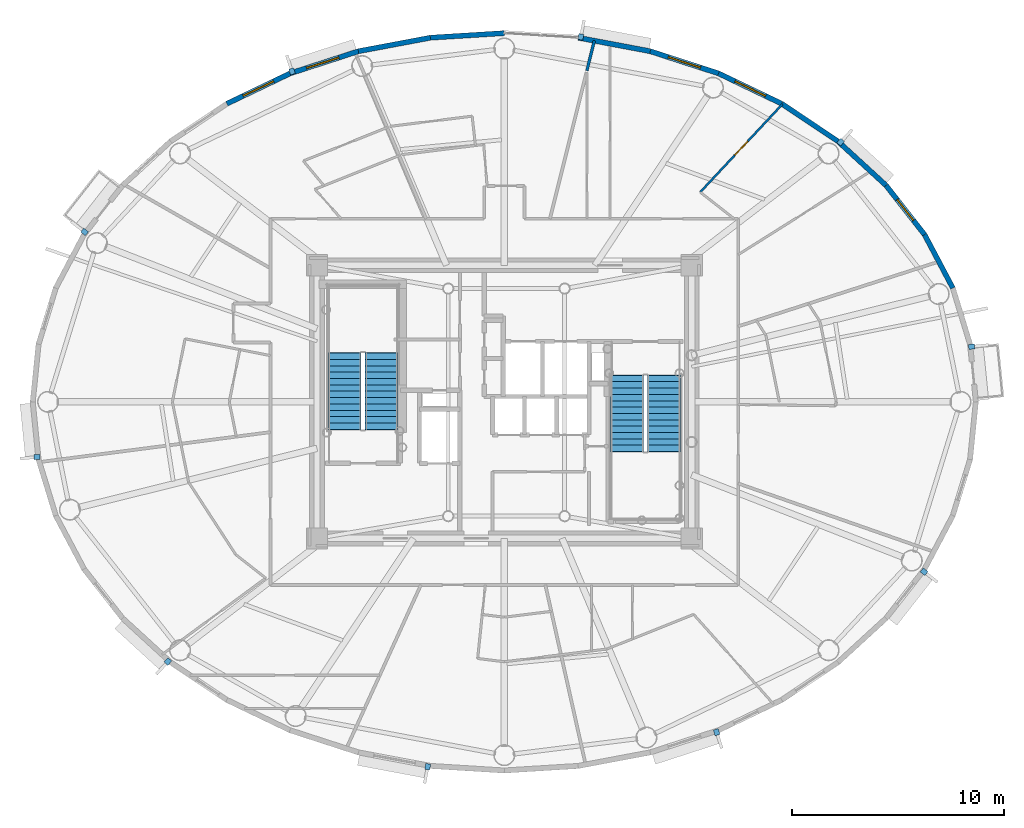
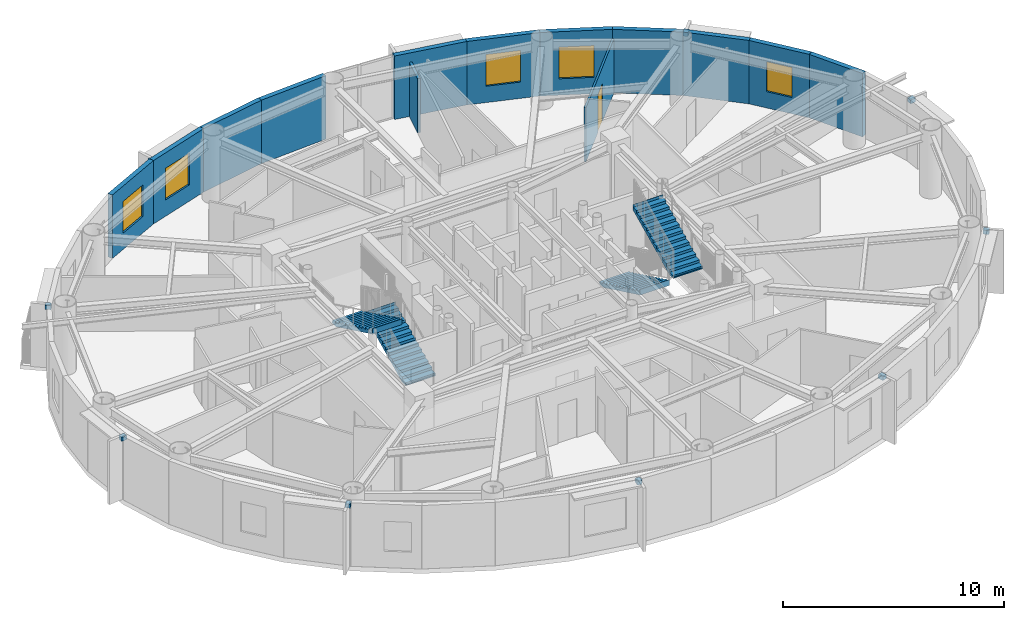
# One storey, part 10 of 17: 13 walls, 10 discrete accessories, 5 windows, 4 stair flights, 1 door, 6 openings, 2 elements without a shape of their own.
"""IFC4 building model written with IfcOpenShell, lengths in metres."""

from ifc_helpers import new_model, si_unit, direction, frame, frame_2d, origin, origin_2d, place, context, subcontext, project, spatial, polyline, rectangle, outline, extrude, source, transform, mapped, material, layer, layer_set, type_object, element, fill, aggregate, save


model = new_model("IFC4")

# Units and contexts
model_context = context("Model", 3, precision=1e-05, world=origin(), true_north=direction((0.0, 1.0)))
body_context = subcontext(model_context, "Body", "Model", "MODEL_VIEW")
ifc_project = project(units=[si_unit("LENGTHUNIT", "METRE"), si_unit("AREAUNIT", "SQUARE_METRE"), si_unit("VOLUMEUNIT", "CUBIC_METRE"), si_unit("PLANEANGLEUNIT", "RADIAN"), si_unit("MASSUNIT", "GRAM", prefix="KILO")], contexts=[model_context])

# Site, building, storey
site_placement = place(None, origin())
site = spatial("IfcSite", under=ifc_project, at=site_placement, CompositionType="ELEMENT")
building_placement = place(site_placement, origin())
building = spatial("IfcBuilding", under=site, at=building_placement, Name="Linh Dai School and Residence Tower", CompositionType="ELEMENT")
storey_placement = place(building_placement, frame((0.0, 0.0, 299.25)))
storey = spatial("IfcBuildingStorey", under=building, at=storey_placement, Name="L74", CompositionType="ELEMENT", Elevation=299.25)

# Wall
ifc_material_1 = material(Name="Precast Concrete B45 (C35/45)", Category="concrete")
ifc_layer_1 = layer(ifc_material_1, 0.239990234375)
ifc_layer_set_1 = layer_set([ifc_layer_1], Name="Precast Concrete B45 (C35/45)")
wall_type_1 = type_object("IfcWallType", Name="EW-TC-240", PredefinedType="SOLIDWALL", material=ifc_layer_set_1)
wall_1_placement = place(storey_placement, frame((55.853759765625, 34.894775390625, 0.0), z_axis=(0.0, 0.0, 1.0), x_axis=(0.467628269026, -0.883925224218, 0.0)))
element("IfcWall", 1, at=wall_1_placement, inside=storey, type_object=wall_type_1, Name="L74 Terracotta Exterior Wall 03", PredefinedType="SOLIDWALL", context=body_context, shape_type="SweptSolid", body=[
    extrude(rectangle(XDim=2.853759765625, YDim=0.239990234375, at=frame_2d((1.4267578125, 0.0))), origin(), (0.0, 0.0, 1.0), 3.5),
])

# Wall, opening, window
wall_2_placement = place(storey_placement, frame((54.0302734375, 37.224609375, 0.0), z_axis=(0.0, 0.0, 1.0), x_axis=(0.616337186556, -0.787482363275, 0.0)))
wall_2 = element("IfcWall", 2, at=wall_2_placement, inside=storey, type_object=wall_type_1, Name="L74 Terracotta Exterior Wall 04", PredefinedType="SOLIDWALL", context=body_context, shape_type="SweptSolid", body=[
    extrude(rectangle(XDim=2.95849609375, YDim=0.239990234375, at=frame_2d((1.479248046875, 0.0))), origin(), (0.0, 0.0, 1.0), 3.5),
])
opening_1_placement = place(wall_2_placement, frame((0.85400390625, 0.0, 0.89990234375)))
opening_1 = element("IfcOpeningElement", 3, at=opening_1_placement, cuts=wall_2, Name="Opening W3", PredefinedType="OPENING", context=body_context, shape_type="SweptSolid", body=[
    extrude(rectangle(XDim=1.25, YDim=1.64990234375, at=origin_2d()), frame((0.625, 0.1298828125, 0.824951171875), z_axis=(0.0, -1.0, 0.0), x_axis=(1.0, 0.0, 0.0)), (0.0, 0.0, 1.0), 0.260009765625),
])
ifc_material_2 = material(Name="Double Low-E Insulated Glazing", Category="glass")
window_type_1 = type_object("IfcWindowType", Name="WN-RES-1250x1650", PartitioningType="SINGLE_PANEL", PredefinedType="WINDOW", material=ifc_material_2)
shared_shape_1 = source(origin(), body_context, "Body", "SweptSolid", [
    extrude(rectangle(XDim=1.25, YDim=1.64990234375, at=origin_2d()), frame((0.625, 0.030029296875, 0.824951171875), z_axis=(0.0, -1.0, 0.0), x_axis=(1.0, 0.0, 0.0)), (0.0, 0.0, 1.0), 0.06005859375),
])
window_1_placement = place(opening_1_placement, origin())
window_1 = element("IfcWindow", 4, at=window_1_placement, inside=storey, type_object=window_type_1, Name="L74 Exterior Window 04.1", OverallHeight=1.64990234375, OverallWidth=1.25, PartitioningType="SINGLE_PANEL", PredefinedType="WINDOW", context=body_context, shape_type="MappedRepresentation", body=[
    mapped(shared_shape_1, transform((0.0, 0.0, 0.0), x_axis=(1.0, 0.0, 0.0), y_axis=(0.0, 1.0, 0.0), z_axis=(0.0, 0.0, 1.0), scale=1.0)),
])
fill(opening_1, window_1)

# Walls
wall_3_placement = place(storey_placement, frame((51.76220703125, 39.30419921875, 0.0), z_axis=(0.0, 0.0, 1.0), x_axis=(0.737068506972, -0.675818034703, 0.0)))
element("IfcWall", 5, at=wall_3_placement, inside=storey, type_object=wall_type_1, Name="L74 Terracotta Exterior Wall 05", PredefinedType="SOLIDWALL", context=body_context, shape_type="SweptSolid", body=[
    extrude(rectangle(XDim=3.0771484375, YDim=0.239990234375, at=frame_2d((1.53857421875, 0.0))), origin(), (0.0, 0.0, 1.0), 3.5),
])
wall_4_placement = place(storey_placement, frame((49.1044921875, 41.08154296875, 0.0), z_axis=(0.0, 0.0, 1.0), x_axis=(0.831250592635, -0.55589787933, 0.0)))
element("IfcWall", 6, at=wall_4_placement, inside=storey, type_object=wall_type_1, Name="L74 Terracotta Exterior Wall 06", PredefinedType="SOLIDWALL", context=body_context, shape_type="SweptSolid", body=[
    extrude(rectangle(XDim=3.197265625, YDim=0.239990234375, at=frame_2d((1.5986328125, 0.0))), origin(), (0.0, 0.0, 1.0), 3.5),
])

# Wall, opening, window
wall_5_placement = place(storey_placement, frame((46.123046875, 42.51220703125, 0.0), z_axis=(0.0, 0.0, 1.0), x_axis=(0.901573741254, -0.43262546051, 0.0)))
wall_5 = element("IfcWall", 7, at=wall_5_placement, inside=storey, type_object=wall_type_1, Name="L74 Terracotta Exterior Wall 07", PredefinedType="SOLIDWALL", context=body_context, shape_type="SweptSolid", body=[
    extrude(rectangle(XDim=3.306884765625, YDim=0.239990234375, at=frame_2d((1.6533203125, 0.0))), origin(), (0.0, 0.0, 1.0), 3.5),
])
opening_2_placement = place(wall_5_placement, frame((0.8583984375, 0.0, 0.89990234375)))
opening_2 = element("IfcOpeningElement", 8, at=opening_2_placement, cuts=wall_5, Name="Opening W2", PredefinedType="OPENING", context=body_context, shape_type="SweptSolid", body=[
    extrude(rectangle(XDim=1.60009765625, YDim=1.75, at=origin_2d()), frame((0.800048828125, 0.1298828125, 0.875), z_axis=(0.0, -1.0, 0.0), x_axis=(1.0, 0.0, 0.0)), (0.0, 0.0, 1.0), 0.260009765625),
])
window_type_2 = type_object("IfcWindowType", Name="WN-RES-1600x1750", PartitioningType="DOUBLE_PANEL_VERTICAL", PredefinedType="WINDOW", material=ifc_material_2)
shared_shape_2 = source(origin(), body_context, "Body", "SweptSolid", [
    extrude(rectangle(XDim=1.60009765625, YDim=1.75, at=origin_2d()), frame((0.800048828125, 0.030029296875, 0.875), z_axis=(0.0, -1.0, 0.0), x_axis=(1.0, 0.0, 0.0)), (0.0, 0.0, 1.0), 0.06005859375),
])
window_2_placement = place(opening_2_placement, origin())
window_2 = element("IfcWindow", 9, at=window_2_placement, inside=storey, type_object=window_type_2, Name="L74 Exterior Window 07.1", OverallHeight=1.75, OverallWidth=1.60009765625, PartitioningType="DOUBLE_PANEL_VERTICAL", PredefinedType="WINDOW", context=body_context, shape_type="MappedRepresentation", body=[
    mapped(shared_shape_2, transform((0.0, 0.0, 0.0), x_axis=(1.0, 0.0, 0.0), y_axis=(0.0, 1.0, 0.0), z_axis=(0.0, 0.0, 1.0), scale=1.0)),
])
fill(opening_2, window_2)

wall_6_placement = place(storey_placement, frame((42.89111328125, 43.560302734375, 0.0), z_axis=(0.0, 0.0, 1.0), x_axis=(0.95123136723, -0.308478339592, 0.0)))
wall_6 = element("IfcWall", 10, at=wall_6_placement, inside=storey, type_object=wall_type_1, Name="L74 Terracotta Exterior Wall 08", PredefinedType="SOLIDWALL", context=body_context, shape_type="SweptSolid", body=[
    extrude(rectangle(XDim=3.397705078125, YDim=0.239990234375, at=frame_2d((1.69873046875, 0.0))), origin(), (0.0, 0.0, 1.0), 3.5),
])
opening_3_placement = place(wall_6_placement, frame((0.898681640625, 0.0, 0.89990234375)))
opening_3 = element("IfcOpeningElement", 11, at=opening_3_placement, cuts=wall_6, Name="Opening W2", PredefinedType="OPENING", context=body_context, shape_type="SweptSolid", body=[
    extrude(rectangle(XDim=1.60009765625, YDim=1.75, at=origin_2d()), frame((0.800048828125, 0.1298828125, 0.875), z_axis=(0.0, -1.0, 0.0), x_axis=(1.0, 0.0, 0.0)), (0.0, 0.0, 1.0), 0.260009765625),
])
window_3_placement = place(opening_3_placement, origin())
window_3 = element("IfcWindow", 12, at=window_3_placement, inside=storey, type_object=window_type_2, Name="L74 Exterior Window 08.1", OverallHeight=1.75, OverallWidth=1.60009765625, PartitioningType="DOUBLE_PANEL_VERTICAL", PredefinedType="WINDOW", context=body_context, shape_type="MappedRepresentation", body=[
    mapped(shared_shape_2, transform((0.0, 0.0, 0.0), x_axis=(1.0, 0.0, 0.0), y_axis=(0.0, 1.0, 0.0), z_axis=(0.0, 0.0, 1.0), scale=1.0)),
])
fill(opening_3, window_3)

# Walls
wall_7_placement = place(storey_placement, frame((39.48876953125, 44.199951171875, 0.0), z_axis=(0.0, 0.0, 1.0), x_axis=(0.982782655757, -0.184765395959, 0.0)))
element("IfcWall", 13, at=wall_7_placement, inside=storey, type_object=wall_type_1, Name="L74 Terracotta Exterior Wall 09", PredefinedType="SOLIDWALL", context=body_context, shape_type="SweptSolid", body=[
    extrude(rectangle(XDim=3.4619140625, YDim=0.239990234375, at=frame_2d((1.73095703125, 0.0))), origin(), (0.0, 0.0, 1.0), 3.5),
])
wall_8_placement = place(storey_placement, frame((32.51123046875, 44.199951171875, 0.0), z_axis=(0.0, 0.0, 1.0), x_axis=(0.998104946479, 0.061534671648, 0.0)))
element("IfcWall", 14, at=wall_8_placement, inside=storey, type_object=wall_type_1, Name="L74 Terracotta Exterior Wall 11", PredefinedType="SOLIDWALL", context=body_context, shape_type="SweptSolid", body=[
    extrude(rectangle(XDim=3.495361328125, YDim=0.239990234375, at=frame_2d((1.74755859375, 0.0))), origin(), (0.0, 0.0, 1.0), 3.5),
])
wall_9_placement = place(storey_placement, frame((29.10888671875, 43.560302734375, 0.0), z_axis=(0.0, 0.0, 1.0), x_axis=(0.982782655757, 0.184765395959, 0.0)))
element("IfcWall", 15, at=wall_9_placement, inside=storey, type_object=wall_type_1, Name="L74 Terracotta Exterior Wall 12", PredefinedType="SOLIDWALL", context=body_context, shape_type="SweptSolid", body=[
    extrude(rectangle(XDim=3.4619140625, YDim=0.239990234375, at=frame_2d((1.73095703125, 0.0))), origin(), (0.0, 0.0, 1.0), 3.5),
])

# Wall, opening, window
wall_10_placement = place(storey_placement, frame((25.876953125, 42.51220703125, 0.0), z_axis=(0.0, 0.0, 1.0), x_axis=(0.95123136723, 0.308478339592, 0.0)))
wall_10 = element("IfcWall", 16, at=wall_10_placement, inside=storey, type_object=wall_type_1, Name="L74 Terracotta Exterior Wall 13", PredefinedType="SOLIDWALL", context=body_context, shape_type="SweptSolid", body=[
    extrude(rectangle(XDim=3.397705078125, YDim=0.239990234375, at=frame_2d((1.69873046875, 0.0))), origin(), (0.0, 0.0, 1.0), 3.5),
])
opening_4_placement = place(wall_10_placement, frame((0.82421875, 0.0, 0.89990234375)))
opening_4 = element("IfcOpeningElement", 17, at=opening_4_placement, cuts=wall_10, Name="Opening W2", PredefinedType="OPENING", context=body_context, shape_type="SweptSolid", body=[
    extrude(rectangle(XDim=1.60009765625, YDim=1.75, at=origin_2d()), frame((0.800048828125, 0.1298828125, 0.875), z_axis=(0.0, -1.0, 0.0), x_axis=(1.0, 0.0, 0.0)), (0.0, 0.0, 1.0), 0.260009765625),
])
window_4_placement = place(opening_4_placement, origin())
window_4 = element("IfcWindow", 18, at=window_4_placement, inside=storey, type_object=window_type_2, Name="L74 Exterior Window 13.1", OverallHeight=1.75, OverallWidth=1.60009765625, PartitioningType="DOUBLE_PANEL_VERTICAL", PredefinedType="WINDOW", context=body_context, shape_type="MappedRepresentation", body=[
    mapped(shared_shape_2, transform((0.0, 0.0, 0.0), x_axis=(1.0, 0.0, 0.0), y_axis=(0.0, 1.0, 0.0), z_axis=(0.0, 0.0, 1.0), scale=1.0)),
])
fill(opening_4, window_4)

wall_11_placement = place(storey_placement, frame((22.8955078125, 41.08154296875, 0.0), z_axis=(0.0, 0.0, 1.0), x_axis=(0.901573741254, 0.43262546051, 0.0)))
wall_11 = element("IfcWall", 19, at=wall_11_placement, inside=storey, type_object=wall_type_1, Name="L74 Terracotta Exterior Wall 14", PredefinedType="SOLIDWALL", context=body_context, shape_type="SweptSolid", body=[
    extrude(rectangle(XDim=3.306884765625, YDim=0.239990234375, at=frame_2d((1.6533203125, 0.0))), origin(), (0.0, 0.0, 1.0), 3.5),
])
opening_5_placement = place(wall_11_placement, frame((0.853515625, 0.0, 0.89990234375)))
opening_5 = element("IfcOpeningElement", 20, at=opening_5_placement, cuts=wall_11, Name="Opening W2", PredefinedType="OPENING", context=body_context, shape_type="SweptSolid", body=[
    extrude(rectangle(XDim=1.60009765625, YDim=1.75, at=origin_2d()), frame((0.800048828125, 0.1298828125, 0.875), z_axis=(0.0, -1.0, 0.0), x_axis=(1.0, 0.0, 0.0)), (0.0, 0.0, 1.0), 0.260009765625),
])
window_5_placement = place(opening_5_placement, origin())
window_5 = element("IfcWindow", 21, at=window_5_placement, inside=storey, type_object=window_type_2, Name="L74 Exterior Window 14.1", OverallHeight=1.75, OverallWidth=1.60009765625, PartitioningType="DOUBLE_PANEL_VERTICAL", PredefinedType="WINDOW", context=body_context, shape_type="MappedRepresentation", body=[
    mapped(shared_shape_2, transform((0.0, 0.0, 0.0), x_axis=(1.0, 0.0, 0.0), y_axis=(0.0, 1.0, 0.0), z_axis=(0.0, 0.0, 1.0), scale=1.0)),
])
fill(opening_5, window_5)

# Wall
ifc_material_3 = material(Name="Autoclaved Aerated Concrete Blockwork", Category="masonry")
ifc_layer_2 = layer(ifc_material_3, 0.135009765625)
ifc_layer_set_2 = layer_set([ifc_layer_2], Name="Autoclaved Aerated Concrete Blockwork")
wall_type_2 = type_object("IfcWallType", Name="IW-CORR-135-EI90", PredefinedType="PARTITIONING", material=ifc_layer_set_2)
wall_12_placement = place(storey_placement, frame((39.89990234375, 42.641845703125, 0.0), z_axis=(0.0, 0.0, 1.0), x_axis=(0.241985841386, 0.970279780563, 0.0)))
element("IfcWall", 22, at=wall_12_placement, inside=storey, type_object=wall_type_2, Name="L74 Interior Partition Wall 068", PredefinedType="PARTITIONING", context=body_context, shape_type="SweptSolid", body=[
    extrude(rectangle(XDim=1.462890625, YDim=0.135009765625, at=frame_2d((0.7314453125, 0.0))), origin(), (0.0, 0.0, 1.0), 2.985107421875),
])

# Wall, opening, door
ifc_material_4 = material(Name="Gypsum Plasterboard Acoustic Stud Partition", Category="masonry")
ifc_layer_3 = layer(ifc_material_4, 0.10009765625)
ifc_layer_set_3 = layer_set([ifc_layer_3], Name="Gypsum Plasterboard Acoustic Stud Partition")
wall_type_3 = type_object("IfcWallType", Name="IW-UNIT-100", PredefinedType="PARTITIONING", material=ifc_layer_set_3)
wall_13_placement = place(storey_placement, frame((45.254150390625, 36.903564453125, 0.0), z_axis=(0.0, 0.0, 1.0), x_axis=(0.682727638106, 0.73067295842, 0.0)))
wall_13 = element("IfcWall", 23, at=wall_13_placement, inside=storey, type_object=wall_type_3, Name="L74 Interior Partition Wall 079", PredefinedType="PARTITIONING", context=body_context, shape_type="SweptSolid", body=[
    extrude(rectangle(XDim=5.69287109375, YDim=0.10009765625, at=frame_2d((2.846435546875, 0.0))), origin(), (0.0, 0.0, 1.0), 2.985107421875),
])
opening_6_placement = place(wall_13_placement, frame((2.396484375, 0.0, 0.0)))
opening_6 = element("IfcOpeningElement", 24, at=opening_6_placement, cuts=wall_13, Name="Opening D05", PredefinedType="OPENING", context=body_context, shape_type="SweptSolid", body=[
    extrude(rectangle(XDim=0.89990234375, YDim=2.10009765625, at=origin_2d()), frame((0.449951171875, 0.06005859375, 1.050048828125), z_axis=(0.0, -1.0, 0.0), x_axis=(1.0, 0.0, 0.0)), (0.0, 0.0, 1.0), 0.1201171875),
])
ifc_material_5 = material(Name="Engineered Timber Internal Door", Category="wood")
door_type = type_object("IfcDoorType", Name="DR-INT-900x2100", OperationType="NOTDEFINED", PredefinedType="DOOR", material=ifc_material_5)
shared_shape_3 = source(origin(), body_context, "Body", "SweptSolid", [
    extrude(rectangle(XDim=0.89990234375, YDim=2.10009765625, at=origin_2d()), frame((0.449951171875, 0.02490234375, 1.050048828125), z_axis=(0.0, -1.0, 0.0), x_axis=(1.0, 0.0, 0.0)), (0.0, 0.0, 1.0), 0.050048828125),
])
door_placement = place(opening_6_placement, origin())
door = element("IfcDoor", 25, at=door_placement, inside=storey, type_object=door_type, Name="L74 Apartment U7408 Study Door", OperationType="SINGLE_SWING_RIGHT", OverallHeight=2.10009765625, OverallWidth=0.89990234375, PredefinedType="DOOR", context=body_context, shape_type="MappedRepresentation", body=[
    mapped(shared_shape_3, transform((0.0, 0.0, 0.0), x_axis=(1.0, 0.0, 0.0), y_axis=(0.0, 1.0, 0.0), z_axis=(0.0, 0.0, 1.0), scale=1.0)),
])
fill(opening_6, door)

# Stair, stair flights
ifc_material_6 = material(Name="Concrete B45 (C35/45)", Category="concrete")
stair_type = type_object("IfcStairType", Name="ST-DOG-1550-R1442", PredefinedType="HALF_TURN_STAIR", material=ifc_material_6)
stair_1_placement = place(storey_placement, origin())
stair_1 = element("IfcStair", 26, at=stair_1_placement, inside=storey, type_object=stair_type, Name="L74 Core Smokeproof Exit Stair ST1", PredefinedType="HALF_TURN_STAIR")
stair_flight_type = type_object("IfcStairFlightType", Name="STF-STR-1550-R1442", PredefinedType="STRAIGHT", material=ifc_material_6)
shared_shape_4 = source(origin(), body_context, "Body", "SweptSolid", [
    extrude(outline(polyline([(-0.02490234375, 0.0), (-0.02490234375, 0.06005859375), (0.0, 0.06005859375), (0.0, 0.144287109375), (0.300048828125, 0.144287109375), (0.300048828125, 0.28857421875), (0.60009765625, 0.28857421875), (0.60009765625, 0.4326171875), (0.89990234375, 0.4326171875), (0.89990234375, 0.576904296875), (1.199951171875, 0.576904296875), (1.199951171875, 0.72119140625), (1.5, 0.72119140625), (1.5, 0.865478515625), (1.800048828125, 0.865478515625), (1.800048828125, 1.009521484375), (2.10009765625, 1.009521484375), (2.10009765625, 1.15380859375), (2.39990234375, 1.15380859375), (2.39990234375, 1.298095703125), (2.699951171875, 1.298095703125), (2.699951171875, 1.4423828125), (3.0, 1.4423828125), (3.0, 1.58642578125), (3.300048828125, 1.58642578125), (3.300048828125, 1.730712890625), (3.60009765625, 1.730712890625), (3.60009765625, 1.875), (3.625, 1.875), (3.625, 1.564453125), (3.60009765625, 1.564453125), (0.345947265625, 0.0), (-0.02490234375, 0.0)])), frame((0.0, 0.77490234375, 0.0), z_axis=(0.0, -1.0, 0.0), x_axis=(1.0, 0.0, 0.0)), (0.0, 0.0, 1.0), 1.550048828125),
])
stair_flight_1_placement = place(storey_placement, frame((30.205078125, 25.699951171875, 0.0), z_axis=(0.0, 0.0, 1.0), x_axis=(0.0, 1.0, 0.0)))
stair_flight_1 = element("IfcStairFlight", 27, at=stair_flight_1_placement, type_object=stair_flight_type, Name="ST1 flight 1", NumberOfRisers=13, NumberOfTreads=12, PredefinedType="STRAIGHT", RiserHeight=0.144230769, TreadLength=0.3, context=body_context, shape_type="MappedRepresentation", body=[
    mapped(shared_shape_4, transform((0.0, 0.0, 0.0), x_axis=(1.0, 0.0, 0.0), y_axis=(0.0, 1.0, 0.0), z_axis=(0.0, 0.0, 1.0), scale=1.0)),
])
stair_flight_2_placement = place(storey_placement, frame((28.455078125, 29.300048828125, 1.875), z_axis=(0.0, 0.0, 1.0), x_axis=(0.0, -1.0, 0.0)))
stair_flight_2 = element("IfcStairFlight", 28, at=stair_flight_2_placement, type_object=stair_flight_type, Name="ST1 flight 2", NumberOfRisers=13, NumberOfTreads=12, PredefinedType="STRAIGHT", RiserHeight=0.144230769, TreadLength=0.3, context=body_context, shape_type="MappedRepresentation", body=[
    mapped(shared_shape_4, transform((0.0, 0.0, 0.0), x_axis=(1.0, 0.0, 0.0), y_axis=(0.0, 1.0, 0.0), z_axis=(0.0, 0.0, 1.0), scale=1.0)),
])
aggregate(stair_1, [stair_flight_1, stair_flight_2])

stair_2_placement = place(storey_placement, origin())
stair_2 = element("IfcStair", 29, at=stair_2_placement, inside=storey, type_object=stair_type, Name="L74 Core Smokeproof Exit Stair ST2", PredefinedType="HALF_TURN_STAIR")
stair_flight_3_placement = place(storey_placement, frame((41.794921875, 28.25, 0.0), z_axis=(0.0, 0.0, 1.0), x_axis=(0.0, -1.0, 0.0)))
stair_flight_3 = element("IfcStairFlight", 30, at=stair_flight_3_placement, type_object=stair_flight_type, Name="ST2 flight 1", NumberOfRisers=13, NumberOfTreads=12, PredefinedType="STRAIGHT", RiserHeight=0.144230769, TreadLength=0.3, context=body_context, shape_type="MappedRepresentation", body=[
    mapped(shared_shape_4, transform((0.0, 0.0, 0.0), x_axis=(1.0, 0.0, 0.0), y_axis=(0.0, 1.0, 0.0), z_axis=(0.0, 0.0, 1.0), scale=1.0)),
])
stair_flight_4_placement = place(storey_placement, frame((43.544921875, 24.64990234375, 1.875), z_axis=(0.0, 0.0, 1.0), x_axis=(0.0, 1.0, 0.0)))
stair_flight_4 = element("IfcStairFlight", 31, at=stair_flight_4_placement, type_object=stair_flight_type, Name="ST2 flight 2", NumberOfRisers=13, NumberOfTreads=12, PredefinedType="STRAIGHT", RiserHeight=0.144230769, TreadLength=0.3, context=body_context, shape_type="MappedRepresentation", body=[
    mapped(shared_shape_4, transform((0.0, 0.0, 0.0), x_axis=(1.0, 0.0, 0.0), y_axis=(0.0, 1.0, 0.0), z_axis=(0.0, 0.0, 1.0), scale=1.0)),
])
aggregate(stair_2, [stair_flight_3, stair_flight_4])

# Discrete accessories
ifc_material_7 = material(Name="Structural Steel S355JR", Category="steel")
discrete_accessory_type = type_object("IfcDiscreteAccessoryType", Name="ACC-BRK-S355", PredefinedType="BRACKET", material=ifc_material_7)
shared_shape_5 = source(origin(), body_context, "Body", "SweptSolid", [
    extrude(rectangle(XDim=0.280029296875, YDim=0.239990234375, at=origin_2d()), origin(), (0.0, 0.0, 1.0), 0.219970703125),
])
for number, where, z_axis, x_axis, name in (
    (32, (58.073486328125, 29.605712890625, 3.25), (0.0, 0.0, 1.0), (0.994986629598, 0.100008034283, 0.0), "L74 Facade Frame Anchor Bracket 01"),
    (33, (51.89111328125, 39.267333984375, 3.25), (0.0, 0.0, 1.0), (0.67577730889, 0.737105846394, 0.0), "L74 Facade Frame Anchor Bracket 05"),
    (34, (39.61767578125, 44.23681640625, 3.25), (0.0, 0.0, 1.0), (0.184751197452, 0.982785325002, 0.0), "L74 Facade Frame Anchor Bracket 09"),
    (35, (25.97265625, 42.606201171875, 3.25), (0.0, 0.0, 1.0), (-0.308518805176, 0.951218243545, 0.0), "L74 Facade Frame Anchor Bracket 13"),
    (36, (16.1728515625, 35.0263671875, 3.25), (0.0, 0.0, 1.0), (-0.78750300393, 0.616310813471, 0.0), "L74 Facade Frame Anchor Bracket 17"),
    (37, (13.926513671875, 24.394287109375, 3.25), (0.0, 0.0, 1.0), (-0.994986629598, -0.100008034283, 0.0), "L74 Facade Frame Anchor Bracket 21"),
    (38, (20.10888671875, 14.732666015625, 3.25), (0.0, 0.0, 1.0), (-0.675779074535, -0.737104227651, 0.0), "L74 Facade Frame Anchor Bracket 25"),
    (39, (32.38232421875, 9.76318359375, 3.25), (0.0, 0.0, 1.0), (-0.184751197452, -0.982785325002, 0.0), "L74 Facade Frame Anchor Bracket 29"),
    (40, (46.02734375, 11.393798828125, 3.25), (0.0, 0.0, 1.0), (0.308518805176, -0.951218243545, 0.0), "L74 Facade Frame Anchor Bracket 33"),
    (41, (55.8271484375, 18.9736328125, 3.25), (0.0, 0.0, 1.0), (0.78750300393, -0.616310813471, 0.0), "L74 Facade Frame Anchor Bracket 37"),
):
    element("IfcDiscreteAccessory", number, at=place(storey_placement, frame(where, z_axis=z_axis, x_axis=x_axis)), inside=storey, type_object=discrete_accessory_type, Name=name, PredefinedType="BRACKET", context=body_context, shape_type="MappedRepresentation", body=[
        mapped(shared_shape_5, transform((0.0, 0.0, 0.0), x_axis=(1.0, 0.0, 0.0), y_axis=(0.0, 1.0, 0.0), z_axis=(0.0, 0.0, 1.0), scale=1.0)),
    ])

save(model, "model.ifc")
